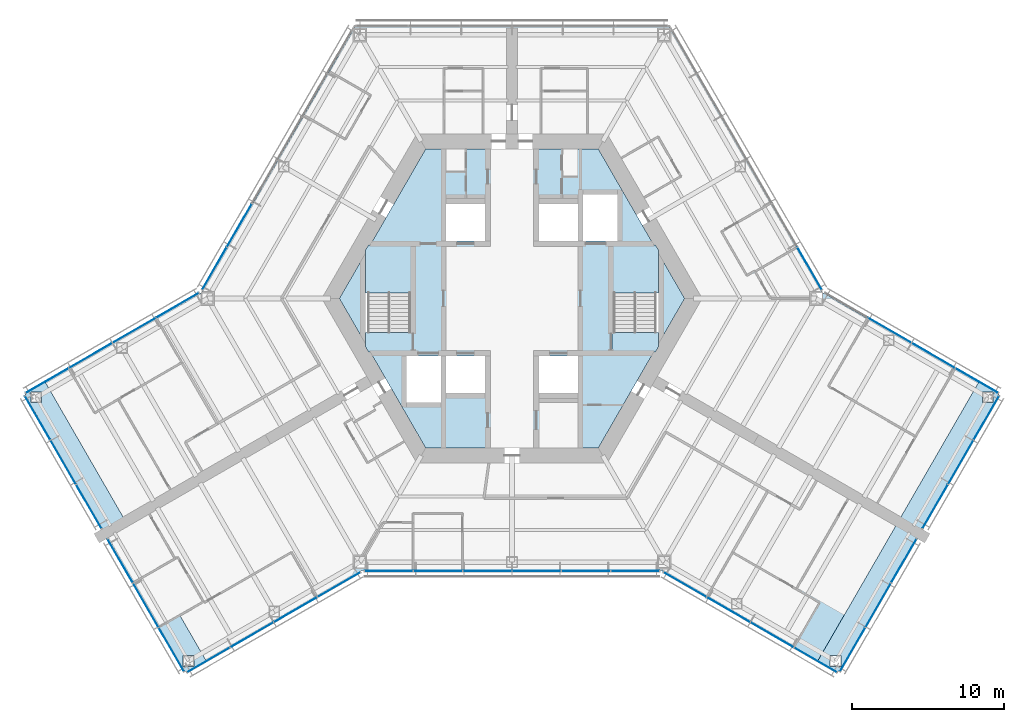
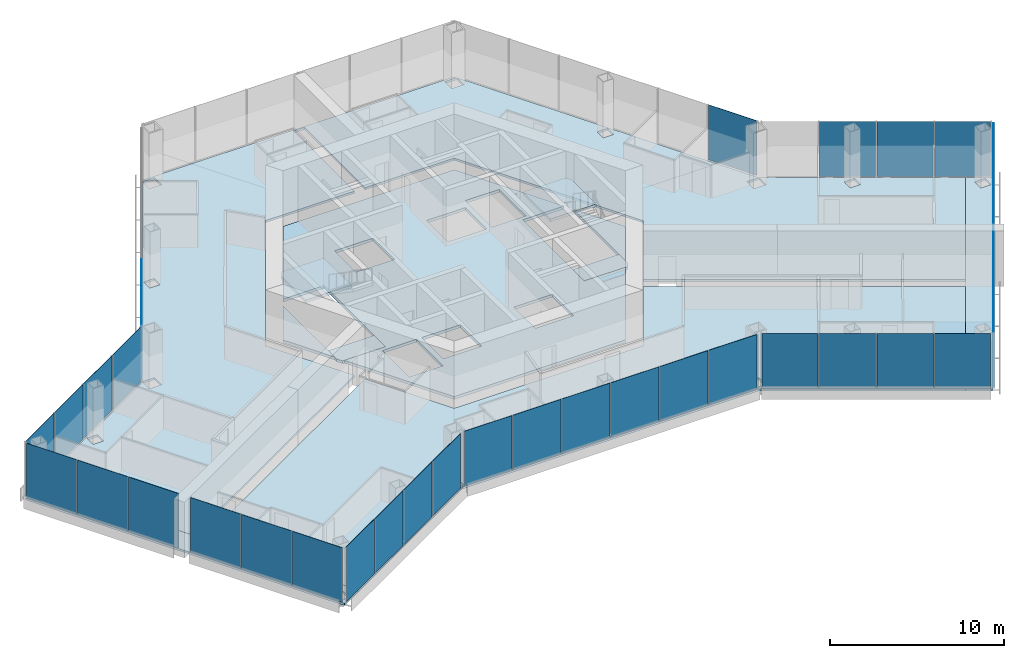
# One storey, part 10 of 18: 36 plates, 11 slabs, 13 elements without a shape of their own.
"""IFC4 building model written with IfcOpenShell, lengths in metres."""

from ifc_helpers import new_model, si_unit, direction, frame, origin, origin_2d, place, context, subcontext, project, spatial, polyline, rectangle, outline, extrude, material, layer, layer_set, type_object, element, aggregate, save


model = new_model("IFC4")

# Units and contexts
model_context = context("Model", 3, precision=1e-05, world=origin(), true_north=direction((0.0, 1.0)))
body_context = subcontext(model_context, "Body", "Model", "MODEL_VIEW")
ifc_project = project(units=[si_unit("LENGTHUNIT", "METRE"), si_unit("AREAUNIT", "SQUARE_METRE"), si_unit("VOLUMEUNIT", "CUBIC_METRE"), si_unit("PLANEANGLEUNIT", "RADIAN"), si_unit("MASSUNIT", "GRAM", prefix="KILO")], contexts=[model_context])

# Site, building, storey
site_placement = place(None, origin())
site = spatial("IfcSite", under=ifc_project, at=site_placement, CompositionType="ELEMENT")
building_placement = place(site_placement, origin())
building = spatial("IfcBuilding", under=site, at=building_placement, Name="Kasaneha Research Tower", CompositionType="ELEMENT")
storey_placement = place(building_placement, frame((0.0, 0.0, 199.39990234375)))
storey = spatial("IfcBuildingStorey", under=building, at=storey_placement, Name="L50", CompositionType="ELEMENT", Elevation=199.39990234375)

# Curtain wall, plates
ifc_material_1 = material(Name="Glass and aluminium", Category="aluminium")
curtain_wall_type = type_object("IfcCurtainWallType", Name="Mid-rise office curtain wall", PredefinedType="USERDEFINED", material=ifc_material_1)
curtain_wall_1_placement = place(storey_placement, origin())
curtain_wall_1 = element("IfcCurtainWall", 1, at=curtain_wall_1_placement, inside=storey, type_object=curtain_wall_type, Name="CW-O2 L50 run 01a", ObjectType="UNITISED CURTAIN WALL", PredefinedType="USERDEFINED")
ifc_material_2 = material(Name="Laminated double glazing", Category="glass")
ifc_layer_1 = layer(ifc_material_2, 0.02587890625)
ifc_layer_set_1 = layer_set([ifc_layer_1], Name="CW-O2 glazed panel")
plate_type = type_object("IfcPlateType", Name="CW-O2 glazed panel", PredefinedType="CURTAIN_PANEL", material=ifc_layer_set_1)
plate_1_placement = place(storey_placement, frame((-8.10107421875, -17.92041015625, 0.06005859375), z_axis=(0.0, 0.0, 1.0), x_axis=(1.0, 0.0, 0.0)))
plate_1 = element("IfcPlate", 2, at=plate_1_placement, type_object=plate_type, Name="CW-O2 panel 1", PredefinedType="CURTAIN_PANEL", context=body_context, shape_type="SweptSolid", body=[
    extrude(rectangle(XDim=3.156494140625, YDim=0.02587890625, at=origin_2d()), origin(), (0.0, 0.0, 1.0), 3.840087890625),
])
plate_2_placement = place(storey_placement, frame((-4.86962890625, -17.92041015625, 0.06005859375), z_axis=(0.0, 0.0, 1.0), x_axis=(1.0, 0.0, 0.0)))
plate_2 = element("IfcPlate", 3, at=plate_2_placement, type_object=plate_type, Name="CW-O2 panel 2", PredefinedType="CURTAIN_PANEL", context=body_context, shape_type="SweptSolid", body=[
    extrude(rectangle(XDim=3.1865234375, YDim=0.02587890625, at=origin_2d()), origin(), (0.0, 0.0, 1.0), 3.840087890625),
])
plate_3_placement = place(storey_placement, frame((-1.623291015625, -17.92041015625, 0.06005859375), z_axis=(0.0, 0.0, 1.0), x_axis=(1.0, 0.0, 0.0)))
plate_3 = element("IfcPlate", 4, at=plate_3_placement, type_object=plate_type, Name="CW-O2 panel 3", PredefinedType="CURTAIN_PANEL", context=body_context, shape_type="SweptSolid", body=[
    extrude(rectangle(XDim=3.1865234375, YDim=0.02587890625, at=origin_2d()), origin(), (0.0, 0.0, 1.0), 3.840087890625),
])
plate_4_placement = place(storey_placement, frame((1.623291015625, -17.92041015625, 0.06005859375), z_axis=(0.0, 0.0, 1.0), x_axis=(1.0, 0.0, 0.0)))
plate_4 = element("IfcPlate", 5, at=plate_4_placement, type_object=plate_type, Name="CW-O2 panel 4", PredefinedType="CURTAIN_PANEL", context=body_context, shape_type="SweptSolid", body=[
    extrude(rectangle(XDim=3.1865234375, YDim=0.02587890625, at=origin_2d()), origin(), (0.0, 0.0, 1.0), 3.840087890625),
])
plate_5_placement = place(storey_placement, frame((4.86962890625, -17.92041015625, 0.06005859375), z_axis=(0.0, 0.0, 1.0), x_axis=(1.0, 0.0, 0.0)))
plate_5 = element("IfcPlate", 6, at=plate_5_placement, type_object=plate_type, Name="CW-O2 panel 5", PredefinedType="CURTAIN_PANEL", context=body_context, shape_type="SweptSolid", body=[
    extrude(rectangle(XDim=3.1865234375, YDim=0.02587890625, at=origin_2d()), origin(), (0.0, 0.0, 1.0), 3.840087890625),
])
plate_6_placement = place(storey_placement, frame((8.10107421875, -17.92041015625, 0.06005859375), z_axis=(0.0, 0.0, 1.0), x_axis=(1.0, 0.0, 0.0)))
plate_6 = element("IfcPlate", 7, at=plate_6_placement, type_object=plate_type, Name="CW-O2 panel 6", PredefinedType="CURTAIN_PANEL", context=body_context, shape_type="SweptSolid", body=[
    extrude(rectangle(XDim=3.156494140625, YDim=0.02587890625, at=origin_2d()), origin(), (0.0, 0.0, 1.0), 3.840087890625),
])
aggregate(curtain_wall_1, [plate_1, plate_2, plate_3, plate_4, plate_5, plate_6])

curtain_wall_2_placement = place(storey_placement, origin())
curtain_wall_2 = element("IfcCurtainWall", 8, at=curtain_wall_2_placement, inside=storey, type_object=curtain_wall_type, Name="CW-O2 L50 run 02a", ObjectType="UNITISED CURTAIN WALL", PredefinedType="USERDEFINED")
plate_7_placement = place(storey_placement, frame((11.3720703125, -18.805419921875, 0.06005859375), z_axis=(0.0, 0.0, 1.0), x_axis=(0.866025411464, -0.499999986699, 0.0)))
plate_7 = element("IfcPlate", 9, at=plate_7_placement, type_object=plate_type, Name="CW-O2 panel 1", PredefinedType="CURTAIN_PANEL", context=body_context, shape_type="SweptSolid", body=[
    extrude(rectangle(XDim=3.2197265625, YDim=0.02587890625, at=origin_2d()), origin(), (0.0, 0.0, 1.0), 3.840087890625),
])
plate_8_placement = place(storey_placement, frame((14.225341796875, -20.452880859375, 0.06005859375), z_axis=(0.0, 0.0, 1.0), x_axis=(0.866025411464, -0.499999986699, 0.0)))
plate_8 = element("IfcPlate", 10, at=plate_8_placement, type_object=plate_type, Name="CW-O2 panel 2", PredefinedType="CURTAIN_PANEL", context=body_context, shape_type="SweptSolid", body=[
    extrude(rectangle(XDim=3.249755859375, YDim=0.02587890625, at=origin_2d()), origin(), (0.0, 0.0, 1.0), 3.840087890625),
])
plate_9_placement = place(storey_placement, frame((17.091796875, -22.107666015625, 0.06005859375), z_axis=(0.0, 0.0, 1.0), x_axis=(0.866025411464, -0.499999986699, 0.0)))
plate_9 = element("IfcPlate", 11, at=plate_9_placement, type_object=plate_type, Name="CW-O2 panel 3", PredefinedType="CURTAIN_PANEL", context=body_context, shape_type="SweptSolid", body=[
    extrude(rectangle(XDim=3.249755859375, YDim=0.02587890625, at=origin_2d()), origin(), (0.0, 0.0, 1.0), 3.840087890625),
])
plate_10_placement = place(storey_placement, frame((19.945068359375, -23.755126953125, 0.06005859375), z_axis=(0.0, 0.0, 1.0), x_axis=(0.866025411464, -0.499999986699, 0.0)))
plate_10 = element("IfcPlate", 12, at=plate_10_placement, type_object=plate_type, Name="CW-O2 panel 4", PredefinedType="CURTAIN_PANEL", context=body_context, shape_type="SweptSolid", body=[
    extrude(rectangle(XDim=3.2197265625, YDim=0.02587890625, at=origin_2d()), origin(), (0.0, 0.0, 1.0), 3.840087890625),
])
aggregate(curtain_wall_2, [plate_7, plate_8, plate_9, plate_10])

curtain_wall_3_placement = place(storey_placement, origin())
curtain_wall_3 = element("IfcCurtainWall", 13, at=curtain_wall_3_placement, inside=storey, type_object=curtain_wall_type, Name="CW-O2 L50 run 03a", ObjectType="UNITISED CURTAIN WALL", PredefinedType="USERDEFINED")
plate_11_placement = place(storey_placement, frame((22.38134765625, -23.075439453125, 0.06005859375), z_axis=(0.0, 0.0, 1.0), x_axis=(0.500000011442, 0.866025397178, 0.0)))
plate_11 = element("IfcPlate", 14, at=plate_11_placement, type_object=plate_type, Name="CW-O2 panel 1", PredefinedType="CURTAIN_PANEL", context=body_context, shape_type="SweptSolid", body=[
    extrude(rectangle(XDim=3.293212890625, YDim=0.02587890625, at=origin_2d()), origin(), (0.0, 0.0, 1.0), 3.840087890625),
])
plate_12_placement = place(storey_placement, frame((24.0654296875, -20.158447265625, 0.06005859375), z_axis=(0.0, 0.0, 1.0), x_axis=(0.500000011442, 0.866025397178, 0.0)))
plate_12 = element("IfcPlate", 15, at=plate_12_placement, type_object=plate_type, Name="CW-O2 panel 2", PredefinedType="CURTAIN_PANEL", context=body_context, shape_type="SweptSolid", body=[
    extrude(rectangle(XDim=3.3232421875, YDim=0.02587890625, at=origin_2d()), origin(), (0.0, 0.0, 1.0), 3.840087890625),
])
plate_13_placement = place(storey_placement, frame((25.74951171875, -17.241455078125, 0.06005859375), z_axis=(0.0, 0.0, 1.0), x_axis=(0.500000011442, 0.866025397178, 0.0)))
plate_13 = element("IfcPlate", 16, at=plate_13_placement, type_object=plate_type, Name="CW-O2 panel 3", PredefinedType="CURTAIN_PANEL", context=body_context, shape_type="SweptSolid", body=[
    extrude(rectangle(XDim=3.293212890625, YDim=0.02587890625, at=origin_2d()), origin(), (0.0, 0.0, 1.0), 3.840087890625),
])
aggregate(curtain_wall_3, [plate_11, plate_12, plate_13])

curtain_wall_4_placement = place(storey_placement, origin())
curtain_wall_4 = element("IfcCurtainWall", 17, at=curtain_wall_4_placement, inside=storey, type_object=curtain_wall_type, Name="CW-O2 L50 run 04a", ObjectType="UNITISED CURTAIN WALL", PredefinedType="USERDEFINED")
plate_14_placement = place(storey_placement, frame((27.806396484375, -13.67919921875, 0.06005859375), z_axis=(0.0, 0.0, 1.0), x_axis=(0.500000011442, 0.866025397178, 0.0)))
plate_14 = element("IfcPlate", 18, at=plate_14_placement, type_object=plate_type, Name="CW-O2 panel 1", PredefinedType="CURTAIN_PANEL", context=body_context, shape_type="SweptSolid", body=[
    extrude(rectangle(XDim=3.293212890625, YDim=0.02587890625, at=origin_2d()), origin(), (0.0, 0.0, 1.0), 3.840087890625),
])
plate_15_placement = place(storey_placement, frame((29.490478515625, -10.761962890625, 0.06005859375), z_axis=(0.0, 0.0, 1.0), x_axis=(0.500000011442, 0.866025397178, 0.0)))
plate_15 = element("IfcPlate", 19, at=plate_15_placement, type_object=plate_type, Name="CW-O2 panel 2", PredefinedType="CURTAIN_PANEL", context=body_context, shape_type="SweptSolid", body=[
    extrude(rectangle(XDim=3.3232421875, YDim=0.02587890625, at=origin_2d()), origin(), (0.0, 0.0, 1.0), 3.840087890625),
])
plate_16_placement = place(storey_placement, frame((31.174560546875, -7.844970703125, 0.06005859375), z_axis=(0.0, 0.0, 1.0), x_axis=(0.500000011442, 0.866025397178, 0.0)))
plate_16 = element("IfcPlate", 20, at=plate_16_placement, type_object=plate_type, Name="CW-O2 panel 3", PredefinedType="CURTAIN_PANEL", context=body_context, shape_type="SweptSolid", body=[
    extrude(rectangle(XDim=3.293212890625, YDim=0.02587890625, at=origin_2d()), origin(), (0.0, 0.0, 1.0), 3.840087890625),
])
aggregate(curtain_wall_4, [plate_14, plate_15, plate_16])

curtain_wall_5_placement = place(storey_placement, origin())
curtain_wall_5 = element("IfcCurtainWall", 21, at=curtain_wall_5_placement, inside=storey, type_object=curtain_wall_type, Name="CW-O2 L50 run 05a", ObjectType="UNITISED CURTAIN WALL", PredefinedType="USERDEFINED")
plate_17_placement = place(storey_placement, frame((30.545166015625, -5.3955078125, 0.06005859375), z_axis=(0.0, 0.0, 1.0), x_axis=(-0.866025411464, 0.499999986699, 0.0)))
plate_17 = element("IfcPlate", 22, at=plate_17_placement, type_object=plate_type, Name="CW-O2 panel 1", PredefinedType="CURTAIN_PANEL", context=body_context, shape_type="SweptSolid", body=[
    extrude(rectangle(XDim=3.2197265625, YDim=0.02587890625, at=origin_2d()), origin(), (0.0, 0.0, 1.0), 3.840087890625),
])
plate_18_placement = place(storey_placement, frame((27.69189453125, -3.748046875, 0.06005859375), z_axis=(0.0, 0.0, 1.0), x_axis=(-0.866025411464, 0.499999986699, 0.0)))
plate_18 = element("IfcPlate", 23, at=plate_18_placement, type_object=plate_type, Name="CW-O2 panel 2", PredefinedType="CURTAIN_PANEL", context=body_context, shape_type="SweptSolid", body=[
    extrude(rectangle(XDim=3.249755859375, YDim=0.02587890625, at=origin_2d()), origin(), (0.0, 0.0, 1.0), 3.840087890625),
])
plate_19_placement = place(storey_placement, frame((24.825439453125, -2.093017578125, 0.06005859375), z_axis=(0.0, 0.0, 1.0), x_axis=(-0.866025411464, 0.499999986699, 0.0)))
plate_19 = element("IfcPlate", 24, at=plate_19_placement, type_object=plate_type, Name="CW-O2 panel 3", PredefinedType="CURTAIN_PANEL", context=body_context, shape_type="SweptSolid", body=[
    extrude(rectangle(XDim=3.249755859375, YDim=0.02587890625, at=origin_2d()), origin(), (0.0, 0.0, 1.0), 3.840087890625),
])
aggregate(curtain_wall_5, [plate_17, plate_18, plate_19])

# Curtain wall, plate
curtain_wall_6_placement = place(storey_placement, origin())
curtain_wall_6 = element("IfcCurtainWall", 25, at=curtain_wall_6_placement, inside=storey, type_object=curtain_wall_type, Name="CW-O2 L50 run 06a", ObjectType="UNITISED CURTAIN WALL", PredefinedType="USERDEFINED")
plate_20_placement = place(storey_placement, frame((19.559814453125, 1.962646484375, 0.06005859375), z_axis=(0.0, 0.0, 1.0), x_axis=(-0.499999979232, 0.866025415775, 0.0)))
plate_20 = element("IfcPlate", 26, at=plate_20_placement, type_object=plate_type, Name="CW-O2 panel 1", PredefinedType="CURTAIN_PANEL", context=body_context, shape_type="SweptSolid", body=[
    extrude(rectangle(XDim=3.197998046875, YDim=0.02587890625, at=origin_2d()), origin(), (0.0, 0.0, 1.0), 3.840087890625),
])
aggregate(curtain_wall_6, [plate_20])

# Curtain wall, plates
curtain_wall_7_placement = place(storey_placement, origin())
curtain_wall_7 = element("IfcCurtainWall", 27, at=curtain_wall_7_placement, inside=storey, type_object=curtain_wall_type, Name="CW-O2 L50 run 08a", ObjectType="UNITISED CURTAIN WALL", PredefinedType="USERDEFINED")
plate_21_placement = place(storey_placement, frame((-17.923095703125, 4.797119140625, 0.06005859375), z_axis=(0.0, 0.0, 1.0), x_axis=(-0.499999979232, -0.866025415775, 0.0)))
plate_21 = element("IfcPlate", 28, at=plate_21_placement, type_object=plate_type, Name="CW-O2 panel 5", PredefinedType="CURTAIN_PANEL", context=body_context, shape_type="SweptSolid", body=[
    extrude(rectangle(XDim=3.22802734375, YDim=0.02587890625, at=origin_2d()), origin(), (0.0, 0.0, 1.0), 3.840087890625),
])
plate_22_placement = place(storey_placement, frame((-19.559814453125, 1.962646484375, 0.06005859375), z_axis=(0.0, 0.0, 1.0), x_axis=(-0.499999979232, -0.866025415775, 0.0)))
plate_22 = element("IfcPlate", 29, at=plate_22_placement, type_object=plate_type, Name="CW-O2 panel 6", PredefinedType="CURTAIN_PANEL", context=body_context, shape_type="SweptSolid", body=[
    extrude(rectangle(XDim=3.197998046875, YDim=0.02587890625, at=origin_2d()), origin(), (0.0, 0.0, 1.0), 3.840087890625),
])
aggregate(curtain_wall_7, [plate_21, plate_22])

curtain_wall_8_placement = place(storey_placement, origin())
curtain_wall_8 = element("IfcCurtainWall", 30, at=curtain_wall_8_placement, inside=storey, type_object=curtain_wall_type, Name="CW-O2 L50 run 09a", ObjectType="UNITISED CURTAIN WALL", PredefinedType="USERDEFINED")
plate_23_placement = place(storey_placement, frame((-21.971923828125, -0.44580078125, 0.06005859375), z_axis=(0.0, 0.0, 1.0), x_axis=(-0.866025411464, -0.499999986699, 0.0)))
plate_23 = element("IfcPlate", 31, at=plate_23_placement, type_object=plate_type, Name="CW-O2 panel 1", PredefinedType="CURTAIN_PANEL", context=body_context, shape_type="SweptSolid", body=[
    extrude(rectangle(XDim=3.2197265625, YDim=0.02587890625, at=origin_2d()), origin(), (0.0, 0.0, 1.0), 3.840087890625),
])
plate_24_placement = place(storey_placement, frame((-24.825439453125, -2.093017578125, 0.06005859375), z_axis=(0.0, 0.0, 1.0), x_axis=(-0.866025411464, -0.499999986699, 0.0)))
plate_24 = element("IfcPlate", 32, at=plate_24_placement, type_object=plate_type, Name="CW-O2 panel 2", PredefinedType="CURTAIN_PANEL", context=body_context, shape_type="SweptSolid", body=[
    extrude(rectangle(XDim=3.249755859375, YDim=0.02587890625, at=origin_2d()), origin(), (0.0, 0.0, 1.0), 3.840087890625),
])
plate_25_placement = place(storey_placement, frame((-27.69189453125, -3.748046875, 0.06005859375), z_axis=(0.0, 0.0, 1.0), x_axis=(-0.866025411464, -0.499999986699, 0.0)))
plate_25 = element("IfcPlate", 33, at=plate_25_placement, type_object=plate_type, Name="CW-O2 panel 3", PredefinedType="CURTAIN_PANEL", context=body_context, shape_type="SweptSolid", body=[
    extrude(rectangle(XDim=3.249755859375, YDim=0.02587890625, at=origin_2d()), origin(), (0.0, 0.0, 1.0), 3.840087890625),
])
plate_26_placement = place(storey_placement, frame((-30.545166015625, -5.3955078125, 0.06005859375), z_axis=(0.0, 0.0, 1.0), x_axis=(-0.866025411464, -0.499999986699, 0.0)))
plate_26 = element("IfcPlate", 34, at=plate_26_placement, type_object=plate_type, Name="CW-O2 panel 4", PredefinedType="CURTAIN_PANEL", context=body_context, shape_type="SweptSolid", body=[
    extrude(rectangle(XDim=3.2197265625, YDim=0.02587890625, at=origin_2d()), origin(), (0.0, 0.0, 1.0), 3.840087890625),
])
aggregate(curtain_wall_8, [plate_23, plate_24, plate_25, plate_26])

curtain_wall_9_placement = place(storey_placement, origin())
curtain_wall_9 = element("IfcCurtainWall", 35, at=curtain_wall_9_placement, inside=storey, type_object=curtain_wall_type, Name="CW-O2 L50 run 10a", ObjectType="UNITISED CURTAIN WALL", PredefinedType="USERDEFINED")
plate_27_placement = place(storey_placement, frame((-31.174560546875, -7.844970703125, 0.06005859375), z_axis=(0.0, 0.0, 1.0), x_axis=(0.500000011442, -0.866025397178, 0.0)))
plate_27 = element("IfcPlate", 36, at=plate_27_placement, type_object=plate_type, Name="CW-O2 panel 1", PredefinedType="CURTAIN_PANEL", context=body_context, shape_type="SweptSolid", body=[
    extrude(rectangle(XDim=3.293212890625, YDim=0.02587890625, at=origin_2d()), origin(), (0.0, 0.0, 1.0), 3.840087890625),
])
plate_28_placement = place(storey_placement, frame((-29.490478515625, -10.761962890625, 0.06005859375), z_axis=(0.0, 0.0, 1.0), x_axis=(0.500000011442, -0.866025397178, 0.0)))
plate_28 = element("IfcPlate", 37, at=plate_28_placement, type_object=plate_type, Name="CW-O2 panel 2", PredefinedType="CURTAIN_PANEL", context=body_context, shape_type="SweptSolid", body=[
    extrude(rectangle(XDim=3.3232421875, YDim=0.02587890625, at=origin_2d()), origin(), (0.0, 0.0, 1.0), 3.840087890625),
])
plate_29_placement = place(storey_placement, frame((-27.806396484375, -13.67919921875, 0.06005859375), z_axis=(0.0, 0.0, 1.0), x_axis=(0.500000011442, -0.866025397178, 0.0)))
plate_29 = element("IfcPlate", 38, at=plate_29_placement, type_object=plate_type, Name="CW-O2 panel 3", PredefinedType="CURTAIN_PANEL", context=body_context, shape_type="SweptSolid", body=[
    extrude(rectangle(XDim=3.293212890625, YDim=0.02587890625, at=origin_2d()), origin(), (0.0, 0.0, 1.0), 3.840087890625),
])
aggregate(curtain_wall_9, [plate_27, plate_28, plate_29])

curtain_wall_10_placement = place(storey_placement, origin())
curtain_wall_10 = element("IfcCurtainWall", 39, at=curtain_wall_10_placement, inside=storey, type_object=curtain_wall_type, Name="CW-O2 L50 run 11a", ObjectType="UNITISED CURTAIN WALL", PredefinedType="USERDEFINED")
plate_30_placement = place(storey_placement, frame((-25.74951171875, -17.241455078125, 0.06005859375), z_axis=(0.0, 0.0, 1.0), x_axis=(0.500000011442, -0.866025397178, 0.0)))
plate_30 = element("IfcPlate", 40, at=plate_30_placement, type_object=plate_type, Name="CW-O2 panel 1", PredefinedType="CURTAIN_PANEL", context=body_context, shape_type="SweptSolid", body=[
    extrude(rectangle(XDim=3.293212890625, YDim=0.02587890625, at=origin_2d()), origin(), (0.0, 0.0, 1.0), 3.840087890625),
])
plate_31_placement = place(storey_placement, frame((-24.0654296875, -20.158447265625, 0.06005859375), z_axis=(0.0, 0.0, 1.0), x_axis=(0.500000011442, -0.866025397178, 0.0)))
plate_31 = element("IfcPlate", 41, at=plate_31_placement, type_object=plate_type, Name="CW-O2 panel 2", PredefinedType="CURTAIN_PANEL", context=body_context, shape_type="SweptSolid", body=[
    extrude(rectangle(XDim=3.3232421875, YDim=0.02587890625, at=origin_2d()), origin(), (0.0, 0.0, 1.0), 3.840087890625),
])
plate_32_placement = place(storey_placement, frame((-22.38134765625, -23.075439453125, 0.06005859375), z_axis=(0.0, 0.0, 1.0), x_axis=(0.500000011442, -0.866025397178, 0.0)))
plate_32 = element("IfcPlate", 42, at=plate_32_placement, type_object=plate_type, Name="CW-O2 panel 3", PredefinedType="CURTAIN_PANEL", context=body_context, shape_type="SweptSolid", body=[
    extrude(rectangle(XDim=3.293212890625, YDim=0.02587890625, at=origin_2d()), origin(), (0.0, 0.0, 1.0), 3.840087890625),
])
aggregate(curtain_wall_10, [plate_30, plate_31, plate_32])

curtain_wall_11_placement = place(storey_placement, origin())
curtain_wall_11 = element("IfcCurtainWall", 43, at=curtain_wall_11_placement, inside=storey, type_object=curtain_wall_type, Name="CW-O2 L50 run 12a", ObjectType="UNITISED CURTAIN WALL", PredefinedType="USERDEFINED")
plate_33_placement = place(storey_placement, frame((-19.945068359375, -23.755126953125, 0.06005859375), z_axis=(0.0, 0.0, 1.0), x_axis=(0.866025411464, 0.499999986699, 0.0)))
plate_33 = element("IfcPlate", 44, at=plate_33_placement, type_object=plate_type, Name="CW-O2 panel 1", PredefinedType="CURTAIN_PANEL", context=body_context, shape_type="SweptSolid", body=[
    extrude(rectangle(XDim=3.2197265625, YDim=0.02587890625, at=origin_2d()), origin(), (0.0, 0.0, 1.0), 3.840087890625),
])
plate_34_placement = place(storey_placement, frame((-17.091796875, -22.107666015625, 0.06005859375), z_axis=(0.0, 0.0, 1.0), x_axis=(0.866025411464, 0.499999986699, 0.0)))
plate_34 = element("IfcPlate", 45, at=plate_34_placement, type_object=plate_type, Name="CW-O2 panel 2", PredefinedType="CURTAIN_PANEL", context=body_context, shape_type="SweptSolid", body=[
    extrude(rectangle(XDim=3.249755859375, YDim=0.02587890625, at=origin_2d()), origin(), (0.0, 0.0, 1.0), 3.840087890625),
])
plate_35_placement = place(storey_placement, frame((-14.225341796875, -20.452880859375, 0.06005859375), z_axis=(0.0, 0.0, 1.0), x_axis=(0.866025411464, 0.499999986699, 0.0)))
plate_35 = element("IfcPlate", 46, at=plate_35_placement, type_object=plate_type, Name="CW-O2 panel 3", PredefinedType="CURTAIN_PANEL", context=body_context, shape_type="SweptSolid", body=[
    extrude(rectangle(XDim=3.249755859375, YDim=0.02587890625, at=origin_2d()), origin(), (0.0, 0.0, 1.0), 3.840087890625),
])
plate_36_placement = place(storey_placement, frame((-11.3720703125, -18.805419921875, 0.06005859375), z_axis=(0.0, 0.0, 1.0), x_axis=(0.866025411464, 0.499999986699, 0.0)))
plate_36 = element("IfcPlate", 47, at=plate_36_placement, type_object=plate_type, Name="CW-O2 panel 4", PredefinedType="CURTAIN_PANEL", context=body_context, shape_type="SweptSolid", body=[
    extrude(rectangle(XDim=3.2197265625, YDim=0.02587890625, at=origin_2d()), origin(), (0.0, 0.0, 1.0), 3.840087890625),
])
aggregate(curtain_wall_11, [plate_33, plate_34, plate_35, plate_36])

# Slabs
ifc_material_3 = material(Name="Concrete Fc24", Category="concrete")
ifc_layer_2 = layer(ifc_material_3, 0.199951171875)
ifc_layer_set_2 = layer_set([ifc_layer_2], Name="Core floor slab 200")
slab_type_1 = type_object("IfcSlabType", Name="Core floor slab 200", PredefinedType="FLOOR", material=ifc_layer_set_2)
slab_1_placement = place(storey_placement, frame((0.0, 0.0, -0.199951171875)))
element("IfcSlab", 48, at=slab_1_placement, inside=storey, type_object=slab_type_1, Name="Core slab L50", PredefinedType="FLOOR", context=body_context, shape_type="SweptSolid", body=[
    extrude(outline(polyline([(-11.344970703125, 0.0), (-9.625, 2.97900390625), (-9.625, -2.97900390625), (-11.344970703125, 0.0)])), origin(), (0.0, 0.0, 1.0), 0.199951171875),
])
slab_2_placement = place(storey_placement, frame((0.0, 0.0, -0.199951171875)))
element("IfcSlab", 49, at=slab_2_placement, inside=storey, type_object=slab_type_1, Name="Core slab L50", PredefinedType="FLOOR", context=body_context, shape_type="SweptSolid", body=[
    extrude(outline(polyline([(-5.67236328125, 9.824951171875), (5.67236328125, 9.824951171875), (9.309814453125, 3.52490234375), (6.574951171875, 3.52490234375), (6.574951171875, -3.52490234375), (9.309814453125, -3.52490234375), (5.67236328125, -9.824951171875), (-5.67236328125, -9.824951171875), (-9.309814453125, -3.52490234375), (-6.574951171875, -3.52490234375), (-6.574951171875, 3.52490234375), (-9.309814453125, 3.52490234375), (-5.67236328125, 9.824951171875)]), holes=[polyline([(-6.925048828125, -3.77490234375), (-6.925048828125, -6.824951171875), (-4.675048828125, -6.824951171875), (-4.675048828125, -3.77490234375), (-6.925048828125, -3.77490234375)]), polyline([(-4.324951171875, -3.77490234375), (-4.324951171875, -6.22509765625), (-1.77490234375, -6.22509765625), (-1.77490234375, -3.77490234375), (-4.324951171875, -3.77490234375)]), polyline([(1.77490234375, -3.77490234375), (1.77490234375, -6.22509765625), (4.324951171875, -6.22509765625), (4.324951171875, -3.77490234375), (1.77490234375, -3.77490234375)]), polyline([(-4.324951171875, 6.22509765625), (-4.324951171875, 3.77490234375), (-1.77490234375, 3.77490234375), (-1.77490234375, 6.22509765625), (-4.324951171875, 6.22509765625)]), polyline([(1.77490234375, 6.22509765625), (1.77490234375, 3.77490234375), (4.324951171875, 3.77490234375), (4.324951171875, 6.22509765625), (1.77490234375, 6.22509765625)]), polyline([(4.675048828125, 6.824951171875), (4.675048828125, 3.77490234375), (6.925048828125, 3.77490234375), (6.925048828125, 6.824951171875), (4.675048828125, 6.824951171875)])]), origin(), (0.0, 0.0, 1.0), 0.199951171875),
])
slab_3_placement = place(storey_placement, frame((0.0, 0.0, -0.199951171875)))
element("IfcSlab", 50, at=slab_3_placement, inside=storey, type_object=slab_type_1, Name="Core slab L50", PredefinedType="FLOOR", context=body_context, shape_type="SweptSolid", body=[
    extrude(outline(polyline([(11.344970703125, 0.0), (9.625, -2.97900390625), (9.625, 2.97900390625), (11.344970703125, 0.0)])), origin(), (0.0, 0.0, 1.0), 0.199951171875),
])
ifc_material_4 = material(Name="Concrete Fc24", Category="concrete")
ifc_layer_3 = layer(ifc_material_4, 0.14990234375)
ifc_layer_set_3 = layer_set([ifc_layer_3], Name="Floor slab 150")
slab_type_2 = type_object("IfcSlabType", Name="Floor slab 150", PredefinedType="FLOOR", material=ifc_layer_set_3)
slab_4_placement = place(storey_placement, frame((0.0, 0.0, -0.14990234375)))
element("IfcSlab", 51, at=slab_4_placement, inside=storey, type_object=slab_type_2, Name="Floor slab L50 1", PredefinedType="FLOOR", context=body_context, shape_type="SweptSolid", body=[
    extrude(outline(polyline([(-32.009521484375, -6.298583984375), (-30.65869140625, -5.518798828125), (-25.55859375, -14.35205078125), (-25.5673828125, -14.357177734375), (-25.21728515625, -14.96337890625), (-25.208740234375, -14.958251953125), (-20.108642578125, -23.791748046875), (-21.459716796875, -24.57177734375), (-32.009521484375, -6.298583984375)]), holes=[polyline([(-20.908447265625, -24.17041015625), (-20.908447265625, -23.470458984375), (-21.6083984375, -23.470458984375), (-21.6083984375, -24.17041015625), (-20.908447265625, -24.17041015625)]), polyline([(-30.908447265625, -6.85009765625), (-30.908447265625, -6.14990234375), (-31.6083984375, -6.14990234375), (-31.6083984375, -6.85009765625), (-30.908447265625, -6.85009765625)])]), origin(), (0.0, 0.0, 1.0), 0.14990234375),
])
slab_5_placement = place(storey_placement, frame((0.0, 0.0, -0.14990234375)))
element("IfcSlab", 52, at=slab_5_placement, inside=storey, type_object=slab_type_2, Name="Floor slab L50 2", PredefinedType="FLOOR", context=body_context, shape_type="SweptSolid", body=[
    extrude(outline(polyline([(9.8525390625, -17.87060546875), (-9.8525390625, -17.87060546875), (-20.108642578125, -23.791748046875), (-25.208740234375, -14.958251953125), (-9.19970703125, -5.715576171875), (-6.249755859375, -10.824951171875), (6.249755859375, -10.824951171875), (9.19970703125, -5.715576171875), (25.208740234375, -14.958251953125), (20.108642578125, -23.791748046875), (9.8525390625, -17.87060546875)]), holes=[polyline([(-15.279052734375, -20.92041015625), (-15.279052734375, -20.220458984375), (-15.979248046875, -20.220458984375), (-15.979248046875, -20.92041015625), (-15.279052734375, -20.92041015625)]), polyline([(0.35009765625, -17.67041015625), (0.35009765625, -16.970458984375), (-0.35009765625, -16.970458984375), (-0.35009765625, -17.67041015625), (0.35009765625, -17.67041015625)]), polyline([(-10.39990234375, -17.720458984375), (-9.60009765625, -17.720458984375), (-9.60009765625, -16.92041015625), (-10.39990234375, -16.92041015625), (-10.39990234375, -17.720458984375)]), polyline([(15.113037109375, -20.42041015625), (15.113037109375, -19.720458984375), (14.4130859375, -19.720458984375), (14.4130859375, -20.42041015625), (15.113037109375, -20.42041015625)]), polyline([(9.60009765625, -17.720458984375), (10.39990234375, -17.720458984375), (10.39990234375, -16.92041015625), (9.60009765625, -16.92041015625), (9.60009765625, -17.720458984375)])]), origin(), (0.0, 0.0, 1.0), 0.14990234375),
])
slab_6_placement = place(storey_placement, frame((0.0, 0.0, -0.14990234375)))
element("IfcSlab", 53, at=slab_6_placement, inside=storey, type_object=slab_type_2, Name="Floor slab L50 3", PredefinedType="FLOOR", context=body_context, shape_type="SweptSolid", body=[
    extrude(outline(polyline([(-20.400146484375, -0.400146484375), (-19.599853515625, -0.400146484375), (-19.599853515625, 0.400146484375), (-20.385986328125, 0.400146484375), (-20.3974609375, 0.41162109375), (-10.40771484375, 17.714111328125), (-10.400146484375, 17.70654296875), (-10.400146484375, 16.92041015625), (-9.599853515625, 16.92041015625), (-9.599853515625, 17.720703125), (-10.385986328125, 17.720703125), (-10.3974609375, 17.732177734375), (-10.317626953125, 17.87060546875), (10.317626953125, 17.87060546875), (10.3974609375, 17.732177734375), (10.385986328125, 17.720703125), (9.599853515625, 17.720703125), (9.599853515625, 16.92041015625), (10.400146484375, 16.92041015625), (10.400146484375, 17.70654296875), (10.40771484375, 17.714111328125), (20.3974609375, 0.41162109375), (20.385986328125, 0.400146484375), (19.599853515625, 0.400146484375), (19.599853515625, -0.400146484375), (20.400146484375, -0.400146484375), (20.400146484375, 0.385986328125), (20.41162109375, 0.3974609375), (30.65869140625, -5.518798828125), (25.55859375, -14.35205078125), (9.5498046875, -5.109375), (12.49951171875, 0.0), (6.249755859375, 10.824951171875), (0.35009765625, 10.824951171875), (0.35009765625, 17.7705078125), (-0.35009765625, 17.7705078125), (-0.35009765625, 10.824951171875), (-6.249755859375, 10.824951171875), (-12.49951171875, 0.0), (-9.5498046875, -5.109375), (-25.55859375, -14.35205078125), (-30.65869140625, -5.518798828125), (-20.41162109375, 0.3974609375), (-20.400146484375, 0.385986328125), (-20.400146484375, -0.400146484375)]), holes=[polyline([(-25.279052734375, -3.60009765625), (-25.279052734375, -2.89990234375), (-25.979248046875, -2.89990234375), (-25.979248046875, -3.60009765625), (-25.279052734375, -3.60009765625)]), polyline([(-15.35009765625, 8.310302734375), (-14.64990234375, 8.310302734375), (-14.64990234375, 9.01025390625), (-15.35009765625, 9.01025390625), (-15.35009765625, 8.310302734375)]), polyline([(24.4130859375, -3.10009765625), (25.113037109375, -3.10009765625), (25.113037109375, -2.39990234375), (24.4130859375, -2.39990234375), (24.4130859375, -3.10009765625)]), polyline([(14.64990234375, 8.310302734375), (15.35009765625, 8.310302734375), (15.35009765625, 9.01025390625), (14.64990234375, 9.01025390625), (14.64990234375, 8.310302734375)])]), origin(), (0.0, 0.0, 1.0), 0.14990234375),
])
slab_7_placement = place(storey_placement, frame((0.0, 0.0, -0.14990234375)))
element("IfcSlab", 54, at=slab_7_placement, inside=storey, type_object=slab_type_2, Name="Floor slab L50 4", PredefinedType="FLOOR", context=body_context, shape_type="SweptSolid", body=[
    extrude(outline(polyline([(32.009521484375, -6.298583984375), (21.459716796875, -24.57177734375), (20.108642578125, -23.791748046875), (25.208740234375, -14.958251953125), (25.21728515625, -14.96337890625), (25.5673828125, -14.357177734375), (25.55859375, -14.35205078125), (30.65869140625, -5.518798828125), (32.009521484375, -6.298583984375)]), holes=[polyline([(21.6083984375, -24.17041015625), (21.6083984375, -23.470458984375), (20.908447265625, -23.470458984375), (20.908447265625, -24.17041015625), (21.6083984375, -24.17041015625)]), polyline([(31.6083984375, -6.85009765625), (31.6083984375, -6.14990234375), (30.908447265625, -6.14990234375), (30.908447265625, -6.85009765625), (31.6083984375, -6.85009765625)])]), origin(), (0.0, 0.0, 1.0), 0.14990234375),
])

# Stair, slabs
ifc_material_5 = material(Name="Concrete Fc24", Category="concrete")
stair_type = type_object("IfcStairType", Name="Half-turn stair 22 risers", PredefinedType="HALF_TURN_STAIR", material=ifc_material_5)
stair_1_placement = place(storey_placement, origin())
stair_1 = element("IfcStair", 55, at=stair_1_placement, inside=storey, type_object=stair_type, Name="Stair 1 L50", PredefinedType="HALF_TURN_STAIR")
ifc_material_6 = material(Name="Concrete Fc24", Category="concrete")
ifc_layer_4 = layer(ifc_material_6, 0.199951171875)
ifc_layer_set_4 = layer_set([ifc_layer_4], Name="Stair 1 landing 200")
slab_type_3 = type_object("IfcSlabType", Name="Stair 1 landing 200", PredefinedType="LANDING", material=ifc_layer_set_4)
slab_8_placement = place(storey_placement, frame((0.0, 0.0, -0.199951171875)))
slab_8 = element("IfcSlab", 56, at=slab_8_placement, type_object=slab_type_3, Name="ST1-22R landing 1", PredefinedType="LANDING", context=body_context, shape_type="SweptSolid", body=[
    extrude(outline(polyline([(9.42529296875, -3.52490234375), (6.574951171875, -3.52490234375), (6.574951171875, -2.22509765625), (9.625, -2.22509765625), (9.625, -3.178955078125), (9.42529296875, -3.52490234375)])), origin(), (0.0, 0.0, 1.0), 0.199951171875),
])
slab_9_placement = place(storey_placement, frame((0.0, 0.0, 1.75)))
slab_9 = element("IfcSlab", 57, at=slab_9_placement, type_object=slab_type_3, Name="ST1-22R landing 2", PredefinedType="LANDING", context=body_context, shape_type="SweptSolid", body=[
    extrude(outline(polyline([(6.574951171875, 3.52490234375), (9.42529296875, 3.52490234375), (9.625, 3.178955078125), (9.625, 0.375), (6.574951171875, 0.375), (6.574951171875, 3.52490234375)])), origin(), (0.0, 0.0, 1.0), 0.2001953125),
])
aggregate(stair_1, [slab_8, slab_9])

stair_2_placement = place(storey_placement, origin())
stair_2 = element("IfcStair", 58, at=stair_2_placement, inside=storey, type_object=stair_type, Name="Stair 2 L50", PredefinedType="HALF_TURN_STAIR")
ifc_material_7 = material(Name="Concrete Fc24", Category="concrete")
ifc_layer_5 = layer(ifc_material_7, 0.199951171875)
ifc_layer_set_5 = layer_set([ifc_layer_5], Name="Stair 2 landing 200")
slab_type_4 = type_object("IfcSlabType", Name="Stair 2 landing 200", PredefinedType="LANDING", material=ifc_layer_set_5)
slab_10_placement = place(storey_placement, frame((0.0, 0.0, -0.199951171875)))
slab_10 = element("IfcSlab", 59, at=slab_10_placement, type_object=slab_type_4, Name="ST2-22R landing 1", PredefinedType="LANDING", context=body_context, shape_type="SweptSolid", body=[
    extrude(outline(polyline([(-6.574951171875, -3.52490234375), (-9.42529296875, -3.52490234375), (-9.625, -3.178955078125), (-9.625, -2.22509765625), (-6.574951171875, -2.22509765625), (-6.574951171875, -3.52490234375)])), origin(), (0.0, 0.0, 1.0), 0.199951171875),
])
slab_11_placement = place(storey_placement, frame((0.0, 0.0, 1.75)))
slab_11 = element("IfcSlab", 60, at=slab_11_placement, type_object=slab_type_4, Name="ST2-22R landing 2", PredefinedType="LANDING", context=body_context, shape_type="SweptSolid", body=[
    extrude(outline(polyline([(-6.574951171875, 0.375), (-9.625, 0.375), (-9.625, 3.178955078125), (-9.42529296875, 3.52490234375), (-6.574951171875, 3.52490234375), (-6.574951171875, 0.375)])), origin(), (0.0, 0.0, 1.0), 0.2001953125),
])
aggregate(stair_2, [slab_10, slab_11])

save(model, "model.ifc")
